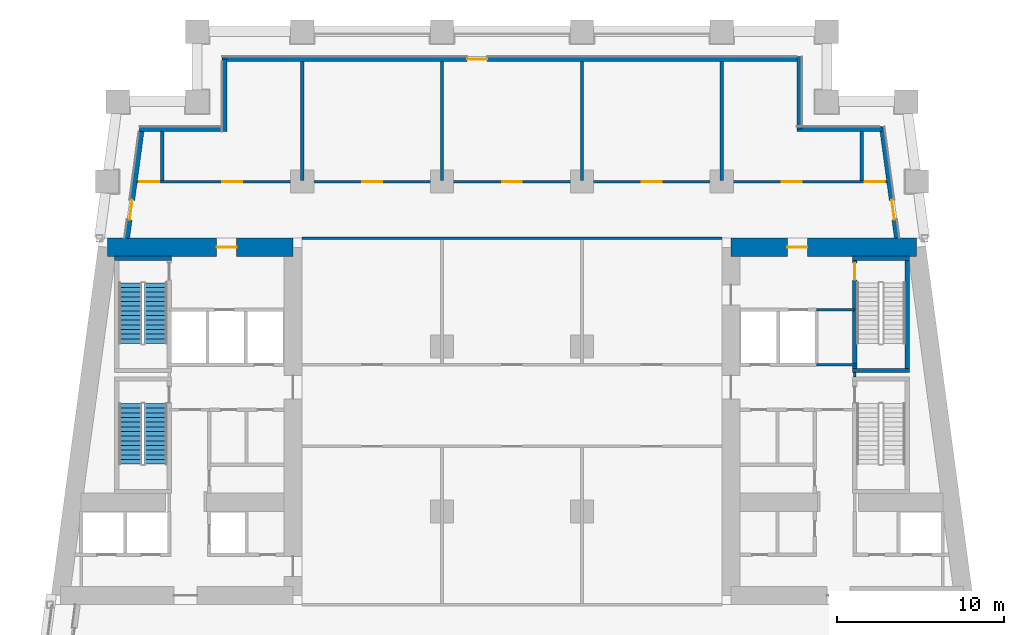
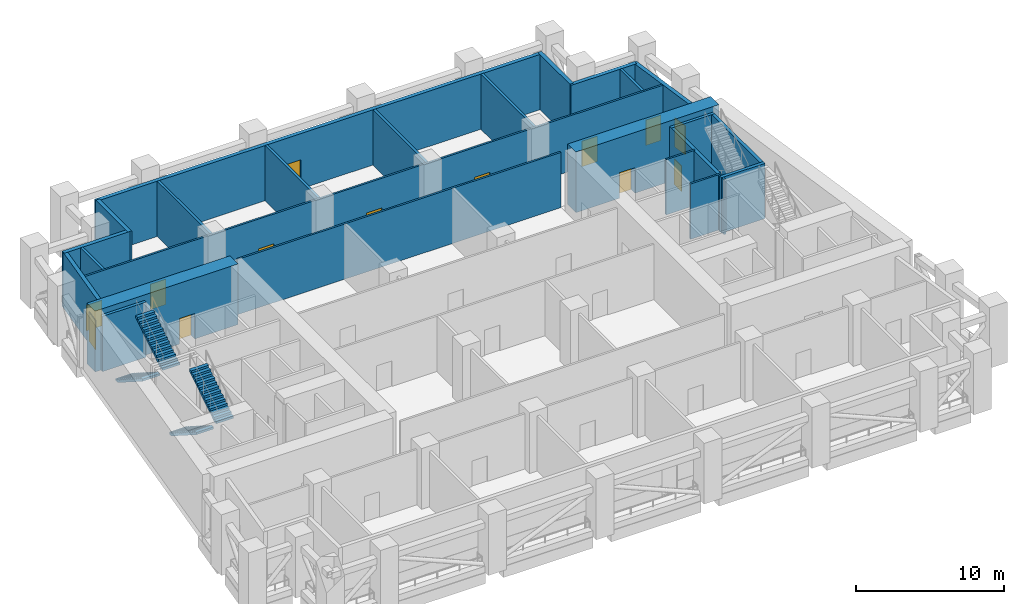
# One storey, part 7 of 12: 25 walls, 13 doors, 4 stair flights, 13 openings, 2 elements without a shape of their own.
"""IFC4 building model written with IfcOpenShell, lengths in metres."""

import ifcopenshell
import ifcopenshell.guid

model = None  # the IFC model being written
_history = None  # IfcOwnerHistory: only IFC2X3 demands one
_inside = {}  # id of a spatial element -> (the spatial element, [elements in it])
_under = {}  # id of a project, library or spatial element -> (it, [spatial elements below it])
_declared = {}  # id of a project -> (the project, [libraries it declares])
_typed = {}  # id of a type object -> (the type object, [elements of that type])
_made_of = {}  # id of a material, layer set ... -> (it, [elements and type objects made of it])


def new_model(schema):
    """Start an empty IFC model of exactly this schema.

    Asked for "IFC4X3", IfcOpenShell would pick the latest addendum, in which some entities
    have other attributes; the version numbers below select the first issue.
    IFC2X3 requires an IfcOwnerHistory on every rooted entity: one is made here for all.
    """
    global model, _history
    if schema == "IFC4X3":
        model = ifcopenshell.file(schema_version=(4, 3, 0, 0))
    else:
        model = ifcopenshell.file(schema=schema)
    _inside.clear()
    _under.clear()
    _declared.clear()
    _typed.clear()
    _made_of.clear()
    _history = None
    if model.schema == "IFC2X3":
        org = make("IfcOrganization", Name="unknown")
        user = make(
            "IfcPersonAndOrganization",
            ThePerson=make("IfcPerson", FamilyName="unknown"),
            TheOrganization=org,
        )
        app = make(
            "IfcApplication",
            ApplicationDeveloper=org,
            Version="unknown",
            ApplicationFullName="unknown",
            ApplicationIdentifier="unknown",
        )
        _history = make(
            "IfcOwnerHistory",
            OwningUser=user,
            OwningApplication=app,
            ChangeAction="ADDED",
            CreationDate=0,
        )
    return model


def make(cls, **values):
    """One entity of the class cls with the attributes given. An attribute that is None is left unset."""
    return model.create_entity(
        cls, **{name: value for name, value in values.items() if value is not None}
    )


def rooted(cls, **values):
    """An entity with a GlobalId (a new one), such as an element, a storey or a relation."""
    return make(cls, GlobalId=ifcopenshell.guid.new(), OwnerHistory=_history, **values)


def si_unit(unit_type, name, prefix=None):
    """IfcSIUnit, for example si_unit("LENGTHUNIT", "METRE", prefix="MILLI")."""
    return make("IfcSIUnit", UnitType=unit_type, Prefix=prefix, Name=name)


def assignment(units):
    """IfcUnitAssignment: the units of a project."""
    return None if units is None else make("IfcUnitAssignment", Units=units)


def point(xyz):
    """IfcCartesianPoint."""
    return None if xyz is None else make("IfcCartesianPoint", Coordinates=xyz)


def direction(xyz):
    """IfcDirection."""
    return None if xyz is None else make("IfcDirection", DirectionRatios=xyz)


def frame(location, z_axis=None, x_axis=None):
    """IfcAxis2Placement3D, a coordinate frame: its origin and axes. An axis left out is left unset."""
    return make(
        "IfcAxis2Placement3D",
        Location=point(location),
        Axis=direction(z_axis),
        RefDirection=direction(x_axis),
    )


def frame_2d(location, x_axis=None):
    """IfcAxis2Placement2D, a coordinate frame in the plane: its origin and x axis."""
    return make(
        "IfcAxis2Placement2D", Location=point(location), RefDirection=direction(x_axis)
    )


def origin():
    """The frame at (0, 0, 0) with its axes left unset."""
    return frame((0.0, 0.0, 0.0))


def place(relative_to, where):
    """IfcLocalPlacement: puts the frame where relative to a parent placement (None: the world)."""
    return make(
        "IfcLocalPlacement", PlacementRelTo=relative_to, RelativePlacement=where
    )


def context(
    kind, dimensions, precision=None, world=None, true_north=None, identifier=None
):
    """IfcGeometricRepresentationContext, for example the 3D "Model" context."""
    return make(
        "IfcGeometricRepresentationContext",
        ContextIdentifier=identifier,
        ContextType=kind,
        CoordinateSpaceDimension=dimensions,
        Precision=precision,
        WorldCoordinateSystem=world,
        TrueNorth=true_north,
    )


def subcontext(parent, identifier, kind, view, scale=None):
    """IfcGeometricRepresentationSubContext, for example "Body" below "Model"."""
    return make(
        "IfcGeometricRepresentationSubContext",
        ContextIdentifier=identifier,
        ContextType=kind,
        ParentContext=parent,
        TargetScale=scale,
        TargetView=view,
    )


def project(units=None, contexts=None):
    """IfcProject with its units and contexts."""
    return rooted(
        "IfcProject",
        Name="project",
        RepresentationContexts=contexts,
        UnitsInContext=assignment(units),
    )


def spatial(cls, under=None, at=None, **own):
    """A site, building, storey or space (cls), placed at a placement, below another one or the project."""
    s = rooted(cls, ObjectPlacement=at, **own)
    if under is not None:
        _under.setdefault(under.id(), (under, []))[1].append(s)
    return s


def polyline(points):
    """IfcPolyline through the points."""
    return make("IfcPolyline", Points=[point(p) for p in points])


def profile(cls, at=None, kind="AREA", **sizes):
    """A parametric profile (cls). Its sizes go by their IFC names, for example OverallWidth=200.0."""
    return make(cls, ProfileType=kind, Position=at, **sizes)


def rectangle(**sizes):
    """IfcRectangleProfileDef."""
    return profile("IfcRectangleProfileDef", **sizes)


def outline(outer, holes=None, kind="AREA"):
    """IfcArbitraryClosedProfileDef: a profile drawn as a closed curve; with holes, ...WithVoids."""
    if holes is None:
        return make("IfcArbitraryClosedProfileDef", ProfileType=kind, OuterCurve=outer)
    return make(
        "IfcArbitraryProfileDefWithVoids",
        ProfileType=kind,
        OuterCurve=outer,
        InnerCurves=holes,
    )


def extrude(swept, where, along, depth):
    """IfcExtrudedAreaSolid: the profile swept, set in the frame where, extruded along a direction by depth."""
    return make(
        "IfcExtrudedAreaSolid",
        SweptArea=swept,
        Position=where,
        ExtrudedDirection=direction(along),
        Depth=depth,
    )


def shape(context_of_items, identifier, shape_type, items):
    """IfcShapeRepresentation: the items that make up one representation, for example the "Body"."""
    return make(
        "IfcShapeRepresentation",
        ContextOfItems=context_of_items,
        RepresentationIdentifier=identifier,
        RepresentationType=shape_type,
        Items=items,
    )


def material(Name=None, Category=None):
    """IfcMaterial."""
    return make("IfcMaterial", Name=Name, Category=Category)


def layer(
    of_material, thickness, ventilated=None, Name=None, Category=None, Priority=None
):
    """IfcMaterialLayer: one layer of a wall or slab, of a material (None: an air gap)."""
    return make(
        "IfcMaterialLayer",
        Material=of_material,
        LayerThickness=thickness,
        IsVentilated=ventilated,
        Name=Name,
        Category=Category,
        Priority=Priority,
    )


def layer_set(layers, Name=None):
    """IfcMaterialLayerSet."""
    return make("IfcMaterialLayerSet", MaterialLayers=layers, LayerSetName=Name)


def made_of(thing, what):
    """Note that an element or type object is made of a material, layer set ...; save() writes the relation."""
    if what is not None:
        _made_of.setdefault(what.id(), (what, []))[1].append(thing)
    return thing


def type_object(cls, material=None, **own):
    """A type object (cls), such as IfcWallType, which elements share."""
    return made_of(rooted(cls, **own), material)


def element(
    cls,
    number,
    at=None,
    inside=None,
    cuts=None,
    type_object=None,
    material=None,
    context=None,
    identifier="Body",
    shape_type=None,
    held_by="IfcProductDefinitionShape",
    body=None,
    shapes=None,
    **own,
):
    """One element of the class cls, such as IfcWall. Its Tag is "e" and its number.

    at: its placement. inside: the storey or other place that contains it. cuts: it is an
    opening in that element (IfcRelVoidsElement). A single representation is given by context,
    identifier, shape_type and body (its items); several are given by shapes. held_by: the class
    of the entity that holds the representations. save() writes the other relations.
    """
    e = rooted(cls, Tag="e%d" % number, ObjectPlacement=at, **own)
    if body is not None:
        shapes = [shape(context, identifier, shape_type, body)]
    if shapes is not None:
        e.Representation = make(held_by, Representations=shapes)
    if inside is not None:
        _inside.setdefault(inside.id(), (inside, []))[1].append(e)
    if cuts is not None:
        rooted(
            "IfcRelVoidsElement", RelatingBuildingElement=cuts, RelatedOpeningElement=e
        )
    if type_object is not None:
        _typed.setdefault(type_object.id(), (type_object, []))[1].append(e)
    return made_of(e, material)


def fill(opening, filler):
    """IfcRelFillsElement: the door or window that sits in an opening."""
    return rooted(
        "IfcRelFillsElement",
        RelatingOpeningElement=opening,
        RelatedBuildingElement=filler,
    )


def aggregate(whole, parts):
    """IfcRelAggregates: a whole, such as a stair, and the parts it consists of."""
    return rooted("IfcRelAggregates", RelatingObject=whole, RelatedObjects=parts)


def save(model, path):
    """Write the relations noted so far, then the file.

    IfcRelAggregates (storeys below a building ...), IfcRelContainedInSpatialStructure (elements
    in a storey), IfcRelDefinesByType, IfcRelAssociatesMaterial and IfcRelDeclares: one each for
    every whole, place, type object, material and project.
    """
    for whole, parts in _under.values():
        aggregate(whole, parts)
    for where, things in _inside.values():
        rooted(
            "IfcRelContainedInSpatialStructure",
            RelatedElements=things,
            RelatingStructure=where,
        )
    for kind, things in _typed.values():
        rooted("IfcRelDefinesByType", RelatedObjects=things, RelatingType=kind)
    for what, things in _made_of.values():
        rooted("IfcRelAssociatesMaterial", RelatedObjects=things, RelatingMaterial=what)
    for by, libraries in _declared.values():
        rooted("IfcRelDeclares", RelatingContext=by, RelatedDefinitions=libraries)
    model.write(path)


model = new_model("IFC4")

# Units and contexts
model_context = context("Model", 3, precision=1e-05, world=origin(), true_north=direction((0.0, 1.0)))
body_context = subcontext(model_context, "Body", "Model", "MODEL_VIEW")
ifc_project = project(units=[si_unit("LENGTHUNIT", "METRE"), si_unit("AREAUNIT", "SQUARE_METRE"), si_unit("VOLUMEUNIT", "CUBIC_METRE"), si_unit("PLANEANGLEUNIT", "RADIAN"), si_unit("MASSUNIT", "GRAM", prefix="KILO")], contexts=[model_context])

# Site, building, storey
site_placement = place(None, origin())
site = spatial("IfcSite", under=ifc_project, at=site_placement, CompositionType="ELEMENT")
building_placement = place(site_placement, origin())
building = spatial("IfcBuilding", under=site, at=building_placement, Name="Candeia Pilgrim Tower and Theatre", CompositionType="ELEMENT")
storey_placement = place(building_placement, frame((0.0, 0.0, 81.0)))
storey = spatial("IfcBuildingStorey", under=building, at=storey_placement, Name="L18", CompositionType="ELEMENT", Elevation=81.0)

# Wall, opening, door
ifc_material_1 = material(Name="Concrete C80/95", Category="concrete")
ifc_layer_1 = layer(ifc_material_1, 1.10009765625)
ifc_layer_set_1 = layer_set([ifc_layer_1], Name="Core wall 1100 C80/95")
wall_type_1 = type_object("IfcWallType", Name="Core wall 1100 C80/95", PredefinedType="SHEAR", material=ifc_layer_set_1)
wall_1_placement = place(storey_placement, frame((89.111572265625, 131.85009765625, 0.0), z_axis=(0.0, 0.0, 1.0), x_axis=(1.0, 0.0, 0.0)))
wall_1 = element("IfcWall", 1, at=wall_1_placement, inside=storey, type_object=wall_type_1, Name="Core wall W1", PredefinedType="SHEAR", context=body_context, shape_type="SweptSolid", body=[
    extrude(rectangle(XDim=11.138427734375, YDim=1.10009765625, at=frame_2d((5.5693359375, 0.0))), origin(), (0.0, 0.0, 1.0), 5.0),
])
opening_1_placement = place(wall_1_placement, frame((6.5517578125, 0.0, 0.0)))
opening_1 = element("IfcOpeningElement", 2, at=opening_1_placement, cuts=wall_1, Name="Opening L18-D040", PredefinedType="OPENING", context=body_context, shape_type="SweptSolid", body=[
    extrude(rectangle(XDim=1.199951171875, YDim=2.10009765625, at=frame_2d((0.60009765625, 1.050048828125))), frame((0.0, 0.56005859375, 0.0), z_axis=(0.0, -1.0, 0.0), x_axis=(1.0, 0.0, 0.0)), (0.0, 0.0, 1.0), 1.1201171875),
])
ifc_material_2 = material(Name="Steel fire door set", Category="steel")
door_type_1 = type_object("IfcDoorType", Name="D-1200-FD60", OperationType="NOTDEFINED", PredefinedType="DOOR", material=ifc_material_2)
door_1_placement = place(opening_1_placement, origin())
door_1 = element("IfcDoor", 3, at=door_1_placement, inside=storey, type_object=door_type_1, Name="Door L18-D040", OperationType="SINGLE_SWING_RIGHT", OverallHeight=2.10009765625, OverallWidth=1.199951171875, PredefinedType="DOOR", context=body_context, shape_type="SweptSolid", body=[
    extrude(rectangle(XDim=1.199951171875, YDim=2.10009765625, at=frame_2d((0.60009765625, 1.050048828125))), frame((0.0, 0.02490234375, 0.0), z_axis=(0.0, -1.0, 0.0), x_axis=(1.0, 0.0, 0.0)), (0.0, 0.0, 1.0), 0.050048828125),
])
fill(opening_1, door_1)

wall_2_placement = place(storey_placement, frame((126.550048828125, 131.85009765625, 0.0), z_axis=(0.0, 0.0, 1.0), x_axis=(1.0, 0.0, 0.0)))
wall_2 = element("IfcWall", 4, at=wall_2_placement, inside=storey, type_object=wall_type_1, Name="Core wall E1", PredefinedType="SHEAR", context=body_context, shape_type="SweptSolid", body=[
    extrude(rectangle(XDim=11.13818359375, YDim=1.10009765625, at=frame_2d((5.569091796875, 0.0))), origin(), (0.0, 0.0, 1.0), 5.0),
])
opening_2_placement = place(wall_2_placement, frame((3.386474609375, 0.0, 0.0)))
opening_2 = element("IfcOpeningElement", 5, at=opening_2_placement, cuts=wall_2, Name="Opening L18-D043", PredefinedType="OPENING", context=body_context, shape_type="SweptSolid", body=[
    extrude(rectangle(XDim=1.199951171875, YDim=2.10009765625, at=frame_2d((0.60009765625, 1.050048828125))), frame((0.0, 0.56005859375, 0.0), z_axis=(0.0, -1.0, 0.0), x_axis=(1.0, 0.0, 0.0)), (0.0, 0.0, 1.0), 1.1201171875),
])
door_2_placement = place(opening_2_placement, origin())
door_2 = element("IfcDoor", 6, at=door_2_placement, inside=storey, type_object=door_type_1, Name="Door L18-D043", OperationType="SINGLE_SWING_LEFT", OverallHeight=2.10009765625, OverallWidth=1.199951171875, PredefinedType="DOOR", context=body_context, shape_type="SweptSolid", body=[
    extrude(rectangle(XDim=1.199951171875, YDim=2.10009765625, at=frame_2d((0.60009765625, 1.050048828125))), frame((0.0, 0.02490234375, 0.0), z_axis=(0.0, -1.0, 0.0), x_axis=(1.0, 0.0, 0.0)), (0.0, 0.0, 1.0), 0.050048828125),
])
fill(opening_2, door_2)

ifc_material_3 = material(Name="Ceramic block masonry", Category="masonry")
ifc_layer_2 = layer(ifc_material_3, 0.300048828125)
ifc_layer_set_2 = layer_set([ifc_layer_2], Name="EW1 glazing-line wall 300")
wall_type_2 = type_object("IfcWallType", Name="EW1 glazing-line wall 300", PredefinedType="SOLIDWALL", material=ifc_layer_set_2)
wall_3_placement = place(storey_placement, frame((136.50439453125, 132.39990234375, 0.0), z_axis=(0.0, 0.0, 1.0), x_axis=(-0.133399697462, 0.99106231929, 0.0)))
wall_3 = element("IfcWall", 7, at=wall_3_placement, inside=storey, type_object=wall_type_2, Name="External wall L18-3.1", PredefinedType="SOLIDWALL", context=body_context, shape_type="SweptSolid", body=[
    extrude(rectangle(XDim=6.740478515625, YDim=0.300048828125, at=frame_2d((3.3701171875, 0.0))), origin(), (0.0, 0.0, 1.0), 4.550048828125),
])
opening_3_placement = place(wall_3_placement, frame((1.115234375, 0.0, 0.0)))
opening_3 = element("IfcOpeningElement", 8, at=opening_3_placement, cuts=wall_3, Name="Opening L18-ED196", PredefinedType="OPENING", context=body_context, shape_type="SweptSolid", body=[
    extrude(rectangle(XDim=1.199951171875, YDim=2.39990234375, at=frame_2d((0.60009765625, 1.199951171875))), frame((0.0, 0.16015625, 0.0), z_axis=(0.0, -1.0, 0.0), x_axis=(1.0, 0.0, 0.0)), (0.0, 0.0, 1.0), 0.320068359375),
])
ifc_material_4 = material(Name="Aluminium framed glazed door", Category="aluminium")
door_type_2 = type_object("IfcDoorType", Name="Loggia door 1200x2400", OperationType="DOUBLE_DOOR_SINGLE_SWING", PredefinedType="DOOR", material=ifc_material_4)
door_3_placement = place(opening_3_placement, origin())
door_3 = element("IfcDoor", 9, at=door_3_placement, inside=storey, type_object=door_type_2, Name="Loggia door L18-ED196", OperationType="DOUBLE_DOOR_SINGLE_SWING", OverallHeight=2.39990234375, OverallWidth=1.199951171875, PredefinedType="DOOR", context=body_context, shape_type="SweptSolid", body=[
    extrude(rectangle(XDim=1.199951171875, YDim=2.39990234375, at=frame_2d((0.60009765625, 1.199951171875))), frame((0.0, 0.02490234375, 0.0), z_axis=(0.0, -1.0, 0.0), x_axis=(1.0, 0.0, 0.0)), (0.0, 0.0, 1.0), 0.050048828125),
])
fill(opening_3, door_3)

# Walls
wall_4_placement = place(storey_placement, frame((135.62255859375, 138.949951171875, 0.0), z_axis=(0.0, 0.0, 1.0), x_axis=(-1.0, 0.0, 0.0)))
element("IfcWall", 10, at=wall_4_placement, inside=storey, type_object=wall_type_2, Name="External wall L18-4.0", PredefinedType="SOLIDWALL", context=body_context, shape_type="SweptSolid", body=[
    extrude(rectangle(XDim=5.12255859375, YDim=0.300048828125, at=frame_2d((2.561279296875, 0.0))), origin(), (0.0, 0.0, 1.0), 4.550048828125),
])
wall_5_placement = place(storey_placement, frame((130.64990234375, 138.949951171875, 0.0), z_axis=(0.0, 0.0, 1.0), x_axis=(0.0, 1.0, 0.0)))
element("IfcWall", 11, at=wall_5_placement, inside=storey, type_object=wall_type_2, Name="External wall L18-5.0", PredefinedType="SOLIDWALL", context=body_context, shape_type="SweptSolid", body=[
    extrude(rectangle(XDim=4.35009765625, YDim=0.300048828125, at=frame_2d((2.175048828125, 0.0))), origin(), (0.0, 0.0, 1.0), 4.550048828125),
])

# Wall, opening, door
wall_6_placement = place(storey_placement, frame((130.64990234375, 143.14990234375, 0.0), z_axis=(0.0, 0.0, 1.0), x_axis=(-1.0, 0.0, 0.0)))
wall_6 = element("IfcWall", 12, at=wall_6_placement, inside=storey, type_object=wall_type_2, Name="External wall L18-6.0", PredefinedType="SOLIDWALL", context=body_context, shape_type="SweptSolid", body=[
    extrude(rectangle(XDim=34.64990234375, YDim=0.300048828125, at=frame_2d((17.324951171875, 0.0))), origin(), (0.0, 0.0, 1.0), 4.550048828125),
])
opening_4_placement = place(wall_6_placement, frame((18.75, 0.0, 0.0)))
opening_4 = element("IfcOpeningElement", 13, at=opening_4_placement, cuts=wall_6, Name="Opening L18-ED197", PredefinedType="OPENING", context=body_context, shape_type="SweptSolid", body=[
    extrude(rectangle(XDim=1.199951171875, YDim=2.39990234375, at=frame_2d((0.60009765625, 1.199951171875))), frame((0.0, 0.16015625, 0.0), z_axis=(0.0, -1.0, 0.0), x_axis=(1.0, 0.0, 0.0)), (0.0, 0.0, 1.0), 0.320068359375),
])
door_4_placement = place(opening_4_placement, origin())
door_4 = element("IfcDoor", 14, at=door_4_placement, inside=storey, type_object=door_type_2, Name="Loggia door L18-ED197", OperationType="DOUBLE_DOOR_SINGLE_SWING", OverallHeight=2.39990234375, OverallWidth=1.199951171875, PredefinedType="DOOR", context=body_context, shape_type="SweptSolid", body=[
    extrude(rectangle(XDim=1.199951171875, YDim=2.39990234375, at=frame_2d((0.60009765625, 1.199951171875))), frame((0.0, 0.02490234375, 0.0), z_axis=(0.0, -1.0, 0.0), x_axis=(1.0, 0.0, 0.0)), (0.0, 0.0, 1.0), 0.050048828125),
])
fill(opening_4, door_4)

# Walls
wall_7_placement = place(storey_placement, frame((96.14990234375, 143.14990234375, 0.0), z_axis=(0.0, 0.0, 1.0), x_axis=(0.0, -1.0, 0.0)))
element("IfcWall", 15, at=wall_7_placement, inside=storey, type_object=wall_type_2, Name="External wall L18-7.0", PredefinedType="SOLIDWALL", context=body_context, shape_type="SweptSolid", body=[
    extrude(rectangle(XDim=4.349853515625, YDim=0.300048828125, at=frame_2d((2.1748046875, 0.0))), origin(), (0.0, 0.0, 1.0), 4.550048828125),
])
wall_8_placement = place(storey_placement, frame((96.14990234375, 138.949951171875, 0.0), z_axis=(0.0, 0.0, 1.0), x_axis=(-1.0, 0.0, 0.0)))
element("IfcWall", 16, at=wall_8_placement, inside=storey, type_object=wall_type_2, Name="External wall L18-8.0", PredefinedType="SOLIDWALL", context=body_context, shape_type="SweptSolid", body=[
    extrude(rectangle(XDim=5.103759765625, YDim=0.300048828125, at=frame_2d((2.5517578125, 0.0))), origin(), (0.0, 0.0, 1.0), 4.550048828125),
])

# Wall, opening, door
wall_9_placement = place(storey_placement, frame((91.177490234375, 138.949951171875, 0.0), z_axis=(0.0, 0.0, 1.0), x_axis=(-0.133426664613, -0.991058689065, 0.0)))
wall_9 = element("IfcWall", 17, at=wall_9_placement, inside=storey, type_object=wall_type_2, Name="External wall L18-9.0", PredefinedType="SOLIDWALL", context=body_context, shape_type="SweptSolid", body=[
    extrude(rectangle(XDim=6.609130859375, YDim=0.300048828125, at=frame_2d((3.3046875, 0.0))), origin(), (0.0, 0.0, 1.0), 4.550048828125),
])
opening_5_placement = place(wall_9_placement, frame((4.293701171875, 0.0, 0.0)))
opening_5 = element("IfcOpeningElement", 18, at=opening_5_placement, cuts=wall_9, Name="Opening L18-ED198", PredefinedType="OPENING", context=body_context, shape_type="SweptSolid", body=[
    extrude(rectangle(XDim=1.199951171875, YDim=2.39990234375, at=frame_2d((0.60009765625, 1.199951171875))), frame((0.0, 0.16015625, 0.0), z_axis=(0.0, -1.0, 0.0), x_axis=(1.0, 0.0, 0.0)), (0.0, 0.0, 1.0), 0.320068359375),
])
door_5_placement = place(opening_5_placement, origin())
door_5 = element("IfcDoor", 19, at=door_5_placement, inside=storey, type_object=door_type_2, Name="Loggia door L18-ED198", OperationType="DOUBLE_DOOR_SINGLE_SWING", OverallHeight=2.39990234375, OverallWidth=1.199951171875, PredefinedType="DOOR", context=body_context, shape_type="SweptSolid", body=[
    extrude(rectangle(XDim=1.199951171875, YDim=2.39990234375, at=frame_2d((0.60009765625, 1.199951171875))), frame((0.0, 0.02490234375, 0.0), z_axis=(0.0, -1.0, 0.0), x_axis=(1.0, 0.0, 0.0)), (0.0, 0.0, 1.0), 0.050048828125),
])
fill(opening_5, door_5)

# Walls
ifc_material_5 = material(Name="Gypsum board partition on steel studs", Category="steel")
ifc_layer_3 = layer(ifc_material_5, 0.14990234375)
ifc_layer_set_3 = layer_set([ifc_layer_3], Name="PW-150 lobby wall")
wall_type_3 = type_object("IfcWallType", Name="PW-150 lobby wall", PredefinedType="PARTITIONING", material=ifc_layer_set_3)
wall_10_placement = place(storey_placement, frame((131.681884765625, 124.800048828125, 0.0), z_axis=(0.0, 0.0, 1.0), x_axis=(1.0, 0.0, 0.0)))
element("IfcWall", 20, at=wall_10_placement, inside=storey, type_object=wall_type_3, Name="Lobby wall L18-022", PredefinedType="PARTITIONING", context=body_context, shape_type="SweptSolid", body=[
    extrude(rectangle(XDim=2.416015625, YDim=0.14990234375, at=frame_2d((1.2080078125, 0.0))), origin(), (0.0, 0.0, 1.0), 4.550048828125),
])
wall_11_placement = place(storey_placement, frame((131.681884765625, 128.10009765625, 0.0), z_axis=(0.0, 0.0, 1.0), x_axis=(1.0, 0.0, 0.0)))
element("IfcWall", 21, at=wall_11_placement, inside=storey, type_object=wall_type_3, Name="Lobby wall L18-026", PredefinedType="PARTITIONING", context=body_context, shape_type="SweptSolid", body=[
    extrude(rectangle(XDim=2.291015625, YDim=0.14990234375, at=frame_2d((1.1455078125, 0.0))), origin(), (0.0, 0.0, 1.0), 4.550048828125),
])
wall_12_placement = place(storey_placement, frame((133.972900390625, 124.074951171875, 0.0), z_axis=(0.0, 0.0, 1.0), x_axis=(0.0, 1.0, 0.0)))
element("IfcWall", 22, at=wall_12_placement, inside=storey, type_object=wall_type_3, Name="Lobby wall L18-071", PredefinedType="PARTITIONING", context=body_context, shape_type="SweptSolid", body=[
    extrude(rectangle(XDim=0.25, YDim=0.14990234375, at=frame_2d((0.125, 0.0))), origin(), (0.0, 0.0, 1.0), 4.550048828125),
])
ifc_layer_4 = layer(ifc_material_5, 0.14990234375)
ifc_layer_set_4 = layer_set([ifc_layer_4], Name="PW-150 unit wall")
wall_type_4 = type_object("IfcWallType", Name="PW-150 unit wall", PredefinedType="PARTITIONING", material=ifc_layer_set_4)
wall_13_placement = place(storey_placement, frame((100.800048828125, 132.39990234375, 0.0), z_axis=(0.0, 0.0, 1.0), x_axis=(1.0, 0.0, 0.0)))
element("IfcWall", 23, at=wall_13_placement, inside=storey, type_object=wall_type_4, Name="Unit wall L18-029", PredefinedType="PARTITIONING", context=body_context, shape_type="SweptSolid", body=[
    extrude(rectangle(XDim=25.199951171875, YDim=0.14990234375, at=frame_2d((12.60009765625, 0.0))), origin(), (0.0, 0.0, 1.0), 4.550048828125),
])

# Wall, openings, doors
wall_14_placement = place(storey_placement, frame((90.89453125, 135.800048828125, 0.0), z_axis=(0.0, 0.0, 1.0), x_axis=(1.0, 0.0, 0.0)))
wall_14 = element("IfcWall", 24, at=wall_14_placement, inside=storey, type_object=wall_type_4, Name="Unit wall L18-030", PredefinedType="PARTITIONING", context=body_context, shape_type="SweptSolid", body=[
    extrude(rectangle(XDim=45.010986328125, YDim=0.14990234375, at=frame_2d((22.50537109375, 0.0))), origin(), (0.0, 0.0, 1.0), 4.550048828125),
])
opening_6_placement = place(wall_14_placement, frame((0.1298828125, 0.0, 0.0)))
opening_6 = element("IfcOpeningElement", 25, at=opening_6_placement, cuts=wall_14, Name="Opening L18-D002", PredefinedType="OPENING", context=body_context, shape_type="SweptSolid", body=[
    extrude(rectangle(XDim=1.199951171875, YDim=2.10009765625, at=frame_2d((0.60009765625, 1.050048828125))), frame((0.0, 0.0849609375, 0.0), z_axis=(0.0, -1.0, 0.0), x_axis=(1.0, 0.0, 0.0)), (0.0, 0.0, 1.0), 0.169921875),
])
opening_7_placement = place(wall_14_placement, frame((5.10546875, 0.0, 0.0)))
opening_7 = element("IfcOpeningElement", 26, at=opening_7_placement, cuts=wall_14, Name="Opening L18-D004", PredefinedType="OPENING", context=body_context, shape_type="SweptSolid", body=[
    extrude(rectangle(XDim=1.199951171875, YDim=2.10009765625, at=frame_2d((0.60009765625, 1.050048828125))), frame((0.0, 0.0849609375, 0.0), z_axis=(0.0, -1.0, 0.0), x_axis=(1.0, 0.0, 0.0)), (0.0, 0.0, 1.0), 0.169921875),
])
opening_8_placement = place(wall_14_placement, frame((13.50537109375, 0.0, 0.0)))
opening_8 = element("IfcOpeningElement", 27, at=opening_8_placement, cuts=wall_14, Name="Opening L18-D006", PredefinedType="OPENING", context=body_context, shape_type="SweptSolid", body=[
    extrude(rectangle(XDim=1.199951171875, YDim=2.10009765625, at=frame_2d((0.60009765625, 1.050048828125))), frame((0.0, 0.0849609375, 0.0), z_axis=(0.0, -1.0, 0.0), x_axis=(1.0, 0.0, 0.0)), (0.0, 0.0, 1.0), 0.169921875),
])
opening_9_placement = place(wall_14_placement, frame((21.905517578125, 0.0, 0.0)))
opening_9 = element("IfcOpeningElement", 28, at=opening_9_placement, cuts=wall_14, Name="Opening L18-D008", PredefinedType="OPENING", context=body_context, shape_type="SweptSolid", body=[
    extrude(rectangle(XDim=1.199951171875, YDim=2.10009765625, at=frame_2d((0.60009765625, 1.050048828125))), frame((0.0, 0.0849609375, 0.0), z_axis=(0.0, -1.0, 0.0), x_axis=(1.0, 0.0, 0.0)), (0.0, 0.0, 1.0), 0.169921875),
])
opening_10_placement = place(wall_14_placement, frame((30.305419921875, 0.0, 0.0)))
opening_10 = element("IfcOpeningElement", 29, at=opening_10_placement, cuts=wall_14, Name="Opening L18-D010", PredefinedType="OPENING", context=body_context, shape_type="SweptSolid", body=[
    extrude(rectangle(XDim=1.199951171875, YDim=2.10009765625, at=frame_2d((0.60009765625, 1.050048828125))), frame((0.0, 0.0849609375, 0.0), z_axis=(0.0, -1.0, 0.0), x_axis=(1.0, 0.0, 0.0)), (0.0, 0.0, 1.0), 0.169921875),
])
opening_11_placement = place(wall_14_placement, frame((38.705322265625, 0.0, 0.0)))
opening_11 = element("IfcOpeningElement", 30, at=opening_11_placement, cuts=wall_14, Name="Opening L18-D012", PredefinedType="OPENING", context=body_context, shape_type="SweptSolid", body=[
    extrude(rectangle(XDim=1.199951171875, YDim=2.10009765625, at=frame_2d((0.60009765625, 1.050048828125))), frame((0.0, 0.0849609375, 0.0), z_axis=(0.0, -1.0, 0.0), x_axis=(1.0, 0.0, 0.0)), (0.0, 0.0, 1.0), 0.169921875),
])
opening_12_placement = place(wall_14_placement, frame((43.680908203125, 0.0, 0.0)))
opening_12 = element("IfcOpeningElement", 31, at=opening_12_placement, cuts=wall_14, Name="Opening L18-D014", PredefinedType="OPENING", context=body_context, shape_type="SweptSolid", body=[
    extrude(rectangle(XDim=1.199951171875, YDim=2.10009765625, at=frame_2d((0.60009765625, 1.050048828125))), frame((0.0, 0.0849609375, 0.0), z_axis=(0.0, -1.0, 0.0), x_axis=(1.0, 0.0, 0.0)), (0.0, 0.0, 1.0), 0.169921875),
])
door_6_placement = place(opening_6_placement, origin())
door_6 = element("IfcDoor", 32, at=door_6_placement, inside=storey, type_object=door_type_1, Name="Door L18-D002", OperationType="SINGLE_SWING_RIGHT", OverallHeight=2.10009765625, OverallWidth=1.199951171875, PredefinedType="DOOR", context=body_context, shape_type="SweptSolid", body=[
    extrude(rectangle(XDim=1.199951171875, YDim=2.10009765625, at=frame_2d((0.60009765625, 1.050048828125))), frame((0.0, 0.02490234375, 0.0), z_axis=(0.0, -1.0, 0.0), x_axis=(1.0, 0.0, 0.0)), (0.0, 0.0, 1.0), 0.050048828125),
])
fill(opening_6, door_6)
door_7_placement = place(opening_7_placement, origin())
door_7 = element("IfcDoor", 33, at=door_7_placement, inside=storey, type_object=door_type_1, Name="Door L18-D004", OperationType="SINGLE_SWING_RIGHT", OverallHeight=2.10009765625, OverallWidth=1.199951171875, PredefinedType="DOOR", context=body_context, shape_type="SweptSolid", body=[
    extrude(rectangle(XDim=1.199951171875, YDim=2.10009765625, at=frame_2d((0.60009765625, 1.050048828125))), frame((0.0, 0.02490234375, 0.0), z_axis=(0.0, -1.0, 0.0), x_axis=(1.0, 0.0, 0.0)), (0.0, 0.0, 1.0), 0.050048828125),
])
fill(opening_7, door_7)
door_8_placement = place(opening_8_placement, origin())
door_8 = element("IfcDoor", 34, at=door_8_placement, inside=storey, type_object=door_type_1, Name="Door L18-D006", OperationType="SINGLE_SWING_RIGHT", OverallHeight=2.10009765625, OverallWidth=1.199951171875, PredefinedType="DOOR", context=body_context, shape_type="SweptSolid", body=[
    extrude(rectangle(XDim=1.199951171875, YDim=2.10009765625, at=frame_2d((0.60009765625, 1.050048828125))), frame((0.0, 0.02490234375, 0.0), z_axis=(0.0, -1.0, 0.0), x_axis=(1.0, 0.0, 0.0)), (0.0, 0.0, 1.0), 0.050048828125),
])
fill(opening_8, door_8)
door_9_placement = place(opening_9_placement, origin())
door_9 = element("IfcDoor", 35, at=door_9_placement, inside=storey, type_object=door_type_1, Name="Door L18-D008", OperationType="SINGLE_SWING_RIGHT", OverallHeight=2.10009765625, OverallWidth=1.199951171875, PredefinedType="DOOR", context=body_context, shape_type="SweptSolid", body=[
    extrude(rectangle(XDim=1.199951171875, YDim=2.10009765625, at=frame_2d((0.60009765625, 1.050048828125))), frame((0.0, 0.02490234375, 0.0), z_axis=(0.0, -1.0, 0.0), x_axis=(1.0, 0.0, 0.0)), (0.0, 0.0, 1.0), 0.050048828125),
])
fill(opening_9, door_9)
door_10_placement = place(opening_10_placement, origin())
door_10 = element("IfcDoor", 36, at=door_10_placement, inside=storey, type_object=door_type_1, Name="Door L18-D010", OperationType="SINGLE_SWING_RIGHT", OverallHeight=2.10009765625, OverallWidth=1.199951171875, PredefinedType="DOOR", context=body_context, shape_type="SweptSolid", body=[
    extrude(rectangle(XDim=1.199951171875, YDim=2.10009765625, at=frame_2d((0.60009765625, 1.050048828125))), frame((0.0, 0.02490234375, 0.0), z_axis=(0.0, -1.0, 0.0), x_axis=(1.0, 0.0, 0.0)), (0.0, 0.0, 1.0), 0.050048828125),
])
fill(opening_10, door_10)
door_11_placement = place(opening_11_placement, origin())
door_11 = element("IfcDoor", 37, at=door_11_placement, inside=storey, type_object=door_type_1, Name="Door L18-D012", OperationType="SINGLE_SWING_RIGHT", OverallHeight=2.10009765625, OverallWidth=1.199951171875, PredefinedType="DOOR", context=body_context, shape_type="SweptSolid", body=[
    extrude(rectangle(XDim=1.199951171875, YDim=2.10009765625, at=frame_2d((0.60009765625, 1.050048828125))), frame((0.0, 0.02490234375, 0.0), z_axis=(0.0, -1.0, 0.0), x_axis=(1.0, 0.0, 0.0)), (0.0, 0.0, 1.0), 0.050048828125),
])
fill(opening_11, door_11)
door_12_placement = place(opening_12_placement, origin())
door_12 = element("IfcDoor", 38, at=door_12_placement, inside=storey, type_object=door_type_1, Name="Door L18-D014", OperationType="SINGLE_SWING_RIGHT", OverallHeight=2.10009765625, OverallWidth=1.199951171875, PredefinedType="DOOR", context=body_context, shape_type="SweptSolid", body=[
    extrude(rectangle(XDim=1.199951171875, YDim=2.10009765625, at=frame_2d((0.60009765625, 1.050048828125))), frame((0.0, 0.02490234375, 0.0), z_axis=(0.0, -1.0, 0.0), x_axis=(1.0, 0.0, 0.0)), (0.0, 0.0, 1.0), 0.050048828125),
])
fill(opening_12, door_12)

# Walls
ifc_layer_5 = layer(ifc_material_5, 0.199951171875)
ifc_layer_set_5 = layer_set([ifc_layer_5], Name="PW-200 party wall")
wall_type_5 = type_object("IfcWallType", Name="PW-200 party wall", PredefinedType="PARTITIONING", material=ifc_layer_set_5)
wall_15_placement = place(storey_placement, frame((92.39990234375, 135.875, 0.0), z_axis=(0.0, 0.0, 1.0), x_axis=(0.0, 1.0, 0.0)))
element("IfcWall", 39, at=wall_15_placement, inside=storey, type_object=wall_type_5, Name="Party wall L18-037", PredefinedType="PARTITIONING", context=body_context, shape_type="SweptSolid", body=[
    extrude(rectangle(XDim=2.93505859375, YDim=0.199951171875, at=frame_2d((1.467529296875, 0.0))), origin(), (0.0, 0.0, 1.0), 4.550048828125),
])
for number, where, z_axis, x_axis, name in (
    (40, (100.800048828125, 135.875, 0.0), (0.0, 0.0, 1.0), (0.0, 1.0, 0.0), "Party wall L18-051"),
    (41, (109.199951171875, 135.875, 0.0), (0.0, 0.0, 1.0), (0.0, 1.0, 0.0), "Party wall L18-055"),
    (42, (117.60009765625, 135.875, 0.0), (0.0, 0.0, 1.0), (0.0, 1.0, 0.0), "Party wall L18-059"),
    (43, (126.0, 135.875, 0.0), (0.0, 0.0, 1.0), (0.0, 1.0, 0.0), "Party wall L18-061"),
):
    element("IfcWall", number, at=place(storey_placement, frame(where, z_axis=z_axis, x_axis=x_axis)), inside=storey, type_object=wall_type_5, Name=name, PredefinedType="PARTITIONING", context=body_context, shape_type="SweptSolid", body=[
        extrude(rectangle(XDim=7.135009765625, YDim=0.199951171875, at=frame_2d((3.5673828125, 0.0))), origin(), (0.0, 0.0, 1.0), 4.550048828125),
    ])
wall_16_placement = place(storey_placement, frame((134.39990234375, 135.875, 0.0), z_axis=(0.0, 0.0, 1.0), x_axis=(0.0, 1.0, 0.0)))
element("IfcWall", 44, at=wall_16_placement, inside=storey, type_object=wall_type_5, Name="Party wall L18-075", PredefinedType="PARTITIONING", context=body_context, shape_type="SweptSolid", body=[
    extrude(rectangle(XDim=2.93505859375, YDim=0.199951171875, at=frame_2d((1.467529296875, 0.0))), origin(), (0.0, 0.0, 1.0), 4.550048828125),
])
ifc_material_6 = material(Name="Concrete C40/50", Category="concrete")
ifc_layer_6 = layer(ifc_material_6, 0.25)
ifc_layer_set_6 = layer_set([ifc_layer_6], Name="SW-250 stair wall")
wall_type_6 = type_object("IfcWallType", Name="SW-250 stair wall", PredefinedType="PARTITIONING", material=ifc_layer_set_6)
wall_17_placement = place(storey_placement, frame((133.847900390625, 124.449951171875, 0.0), z_axis=(0.0, 0.0, 1.0), x_axis=(1.0, 0.0, 0.0)))
element("IfcWall", 45, at=wall_17_placement, inside=storey, type_object=wall_type_6, Name="Stair wall L18-019", PredefinedType="PARTITIONING", context=body_context, shape_type="SweptSolid", body=[
    extrude(rectangle(XDim=3.400146484375, YDim=0.25, at=frame_2d((1.7001953125, 0.0))), origin(), (0.0, 0.0, 1.0), 4.550048828125),
])
wall_18_placement = place(storey_placement, frame((89.552001953125, 131.199951171875, 0.0), z_axis=(0.0, 0.0, 1.0), x_axis=(1.0, 0.0, 0.0)))
element("IfcWall", 46, at=wall_18_placement, inside=storey, type_object=wall_type_6, Name="Stair wall L18-027", PredefinedType="PARTITIONING", context=body_context, shape_type="SweptSolid", body=[
    extrude(rectangle(XDim=3.39990234375, YDim=0.25, at=frame_2d((1.699951171875, 0.0))), origin(), (0.0, 0.0, 1.0), 4.550048828125),
])
wall_19_placement = place(storey_placement, frame((133.847900390625, 131.199951171875, 0.0), z_axis=(0.0, 0.0, 1.0), x_axis=(1.0, 0.0, 0.0)))
element("IfcWall", 47, at=wall_19_placement, inside=storey, type_object=wall_type_6, Name="Stair wall L18-028", PredefinedType="PARTITIONING", context=body_context, shape_type="SweptSolid", body=[
    extrude(rectangle(XDim=3.400146484375, YDim=0.25, at=frame_2d((1.7001953125, 0.0))), origin(), (0.0, 0.0, 1.0), 4.550048828125),
])

# Wall, opening, door
wall_20_placement = place(storey_placement, frame((133.972900390625, 124.574951171875, 0.0), z_axis=(0.0, 0.0, 1.0), x_axis=(0.0, 1.0, 0.0)))
wall_20 = element("IfcWall", 48, at=wall_20_placement, inside=storey, type_object=wall_type_6, Name="Stair wall L18-073", PredefinedType="PARTITIONING", context=body_context, shape_type="SweptSolid", body=[
    extrude(rectangle(XDim=6.755126953125, YDim=0.25, at=frame_2d((3.37744140625, 0.0))), origin(), (0.0, 0.0, 1.0), 4.550048828125),
])
opening_13_placement = place(wall_20_placement, frame((5.324951171875, 0.0, 0.0)))
opening_13 = element("IfcOpeningElement", 49, at=opening_13_placement, cuts=wall_20, Name="Opening L18-D032", PredefinedType="OPENING", context=body_context, shape_type="SweptSolid", body=[
    extrude(rectangle(XDim=1.0, YDim=2.10009765625, at=frame_2d((0.5, 1.050048828125))), frame((0.0, 0.135009765625, 0.0), z_axis=(0.0, -1.0, 0.0), x_axis=(1.0, 0.0, 0.0)), (0.0, 0.0, 1.0), 0.27001953125),
])
door_type_3 = type_object("IfcDoorType", Name="D-1000-FD60", OperationType="NOTDEFINED", PredefinedType="DOOR", material=ifc_material_2)
door_13_placement = place(opening_13_placement, origin())
door_13 = element("IfcDoor", 50, at=door_13_placement, inside=storey, type_object=door_type_3, Name="Door L18-D032", OperationType="SINGLE_SWING_LEFT", OverallHeight=2.10009765625, OverallWidth=1.0, PredefinedType="DOOR", context=body_context, shape_type="SweptSolid", body=[
    extrude(rectangle(XDim=1.0, YDim=2.10009765625, at=frame_2d((0.5, 1.050048828125))), frame((0.0, 0.02490234375, 0.0), z_axis=(0.0, -1.0, 0.0), x_axis=(1.0, 0.0, 0.0)), (0.0, 0.0, 1.0), 0.050048828125),
])
fill(opening_13, door_13)

# Wall
wall_21_placement = place(storey_placement, frame((137.123046875, 124.574951171875, 0.0), z_axis=(0.0, 0.0, 1.0), x_axis=(0.0, 1.0, 0.0)))
element("IfcWall", 51, at=wall_21_placement, inside=storey, type_object=wall_type_6, Name="Stair wall L18-078", PredefinedType="PARTITIONING", context=body_context, shape_type="SweptSolid", body=[
    extrude(rectangle(XDim=6.5, YDim=0.25, at=frame_2d((3.25, 0.0))), origin(), (0.0, 0.0, 1.0), 4.550048828125),
])

# Stair, stair flights
stair_type = type_object("IfcStairType", Name="ST-TWR dog-leg escape stair", PredefinedType="HALF_TURN_STAIR", material=ifc_material_6)
stair_1_placement = place(storey_placement, origin())
stair_1 = element("IfcStair", 52, at=stair_1_placement, inside=storey, type_object=stair_type, Name="L18 Escape stair ST1", PredefinedType="HALF_TURN_STAIR")
stair_flight_type = type_object("IfcStairFlightType", Name="SFL-RC stair flight", PredefinedType="STRAIGHT", material=ifc_material_6)
stair_flight_1_placement = place(storey_placement, frame((90.47705078125, 122.47509765625, 0.0), z_axis=(0.0, 0.0, 1.0), x_axis=(0.0, -1.0, 0.0)))
stair_flight_1 = element("IfcStairFlight", 53, at=stair_flight_1_placement, type_object=stair_flight_type, Name="ST1 flight 1", NumberOfRisers=14, NumberOfTreads=13, PredefinedType="STRAIGHT", RiserHeight=0.178571429, TreadLength=0.28, context=body_context, shape_type="SweptSolid", body=[
    extrude(outline(polyline([(0.0, 0.0), (0.0, 0.178466796875), (0.280029296875, 0.178466796875), (0.280029296875, 0.357177734375), (0.56005859375, 0.357177734375), (0.56005859375, 0.53564453125), (0.840087890625, 0.53564453125), (0.840087890625, 0.71435546875), (1.1201171875, 0.71435546875), (1.1201171875, 0.892822265625), (1.39990234375, 0.892822265625), (1.39990234375, 1.071533203125), (1.679931640625, 1.071533203125), (1.679931640625, 1.25), (1.9599609375, 1.25), (1.9599609375, 1.428466796875), (2.239990234375, 1.428466796875), (2.239990234375, 1.607177734375), (2.52001953125, 1.607177734375), (2.52001953125, 1.78564453125), (2.800048828125, 1.78564453125), (2.800048828125, 1.96435546875), (3.080078125, 1.96435546875), (3.080078125, 2.142822265625), (3.360107421875, 2.142822265625), (3.360107421875, 2.321533203125), (3.639892578125, 2.321533203125), (3.639892578125, 2.5), (3.639892578125, 2.1435546875), (0.27880859375, 0.0), (0.0, 0.0)])), frame((0.0, 0.675048828125, 0.0), z_axis=(0.0, -1.0, 0.0), x_axis=(1.0, 0.0, 0.0)), (0.0, 0.0, 1.0), 1.35009765625),
])
stair_flight_2_placement = place(storey_placement, frame((92.027099609375, 118.8349609375, 2.5), z_axis=(0.0, 0.0, 1.0), x_axis=(0.0, 1.0, 0.0)))
stair_flight_2 = element("IfcStairFlight", 54, at=stair_flight_2_placement, type_object=stair_flight_type, Name="ST1 flight 2", NumberOfRisers=14, NumberOfTreads=13, PredefinedType="STRAIGHT", RiserHeight=0.178571429, TreadLength=0.28, context=body_context, shape_type="SweptSolid", body=[
    extrude(outline(polyline([(0.0, 0.0), (0.0, 0.178466796875), (0.280029296875, 0.178466796875), (0.280029296875, 0.357177734375), (0.56005859375, 0.357177734375), (0.56005859375, 0.53564453125), (0.840087890625, 0.53564453125), (0.840087890625, 0.71435546875), (1.1201171875, 0.71435546875), (1.1201171875, 0.892822265625), (1.39990234375, 0.892822265625), (1.39990234375, 1.071533203125), (1.679931640625, 1.071533203125), (1.679931640625, 1.25), (1.9599609375, 1.25), (1.9599609375, 1.428466796875), (2.239990234375, 1.428466796875), (2.239990234375, 1.607177734375), (2.52001953125, 1.607177734375), (2.52001953125, 1.78564453125), (2.800048828125, 1.78564453125), (2.800048828125, 1.96435546875), (3.080078125, 1.96435546875), (3.080078125, 2.142822265625), (3.360107421875, 2.142822265625), (3.360107421875, 2.321533203125), (3.639892578125, 2.321533203125), (3.639892578125, 2.5), (3.639892578125, 2.1435546875), (0.27880859375, 0.0), (0.0, 0.0)])), frame((0.0, 0.675048828125, 0.0), z_axis=(0.0, -1.0, 0.0), x_axis=(1.0, 0.0, 0.0)), (0.0, 0.0, 1.0), 1.35009765625),
])
aggregate(stair_1, [stair_flight_1, stair_flight_2])

stair_2_placement = place(storey_placement, origin())
stair_2 = element("IfcStair", 55, at=stair_2_placement, inside=storey, type_object=stair_type, Name="L18 Escape stair ST2", PredefinedType="HALF_TURN_STAIR")
stair_flight_3_placement = place(storey_placement, frame((90.47705078125, 129.72509765625, 0.0), z_axis=(0.0, 0.0, 1.0), x_axis=(0.0, -1.0, 0.0)))
stair_flight_3 = element("IfcStairFlight", 56, at=stair_flight_3_placement, type_object=stair_flight_type, Name="ST2 flight 1", NumberOfRisers=14, NumberOfTreads=13, PredefinedType="STRAIGHT", RiserHeight=0.178571429, TreadLength=0.28, context=body_context, shape_type="SweptSolid", body=[
    extrude(outline(polyline([(0.0, 0.0), (0.0, 0.178466796875), (0.280029296875, 0.178466796875), (0.280029296875, 0.357177734375), (0.56005859375, 0.357177734375), (0.56005859375, 0.53564453125), (0.840087890625, 0.53564453125), (0.840087890625, 0.71435546875), (1.1201171875, 0.71435546875), (1.1201171875, 0.892822265625), (1.39990234375, 0.892822265625), (1.39990234375, 1.071533203125), (1.679931640625, 1.071533203125), (1.679931640625, 1.25), (1.9599609375, 1.25), (1.9599609375, 1.428466796875), (2.239990234375, 1.428466796875), (2.239990234375, 1.607177734375), (2.52001953125, 1.607177734375), (2.52001953125, 1.78564453125), (2.800048828125, 1.78564453125), (2.800048828125, 1.96435546875), (3.080078125, 1.96435546875), (3.080078125, 2.142822265625), (3.360107421875, 2.142822265625), (3.360107421875, 2.321533203125), (3.639892578125, 2.321533203125), (3.639892578125, 2.5), (3.639892578125, 2.1435546875), (0.27880859375, 0.0), (0.0, 0.0)])), frame((0.0, 0.675048828125, 0.0), z_axis=(0.0, -1.0, 0.0), x_axis=(1.0, 0.0, 0.0)), (0.0, 0.0, 1.0), 1.35009765625),
])
stair_flight_4_placement = place(storey_placement, frame((92.027099609375, 126.0849609375, 2.5), z_axis=(0.0, 0.0, 1.0), x_axis=(0.0, 1.0, 0.0)))
stair_flight_4 = element("IfcStairFlight", 57, at=stair_flight_4_placement, type_object=stair_flight_type, Name="ST2 flight 2", NumberOfRisers=14, NumberOfTreads=13, PredefinedType="STRAIGHT", RiserHeight=0.178571429, TreadLength=0.28, context=body_context, shape_type="SweptSolid", body=[
    extrude(outline(polyline([(0.0, 0.0), (0.0, 0.178466796875), (0.280029296875, 0.178466796875), (0.280029296875, 0.357177734375), (0.56005859375, 0.357177734375), (0.56005859375, 0.53564453125), (0.840087890625, 0.53564453125), (0.840087890625, 0.71435546875), (1.1201171875, 0.71435546875), (1.1201171875, 0.892822265625), (1.39990234375, 0.892822265625), (1.39990234375, 1.071533203125), (1.679931640625, 1.071533203125), (1.679931640625, 1.25), (1.9599609375, 1.25), (1.9599609375, 1.428466796875), (2.239990234375, 1.428466796875), (2.239990234375, 1.607177734375), (2.52001953125, 1.607177734375), (2.52001953125, 1.78564453125), (2.800048828125, 1.78564453125), (2.800048828125, 1.96435546875), (3.080078125, 1.96435546875), (3.080078125, 2.142822265625), (3.360107421875, 2.142822265625), (3.360107421875, 2.321533203125), (3.639892578125, 2.321533203125), (3.639892578125, 2.5), (3.639892578125, 2.1435546875), (0.27880859375, 0.0), (0.0, 0.0)])), frame((0.0, 0.675048828125, 0.0), z_axis=(0.0, -1.0, 0.0), x_axis=(1.0, 0.0, 0.0)), (0.0, 0.0, 1.0), 1.35009765625),
])
aggregate(stair_2, [stair_flight_3, stair_flight_4])

save(model, "model.ifc")
